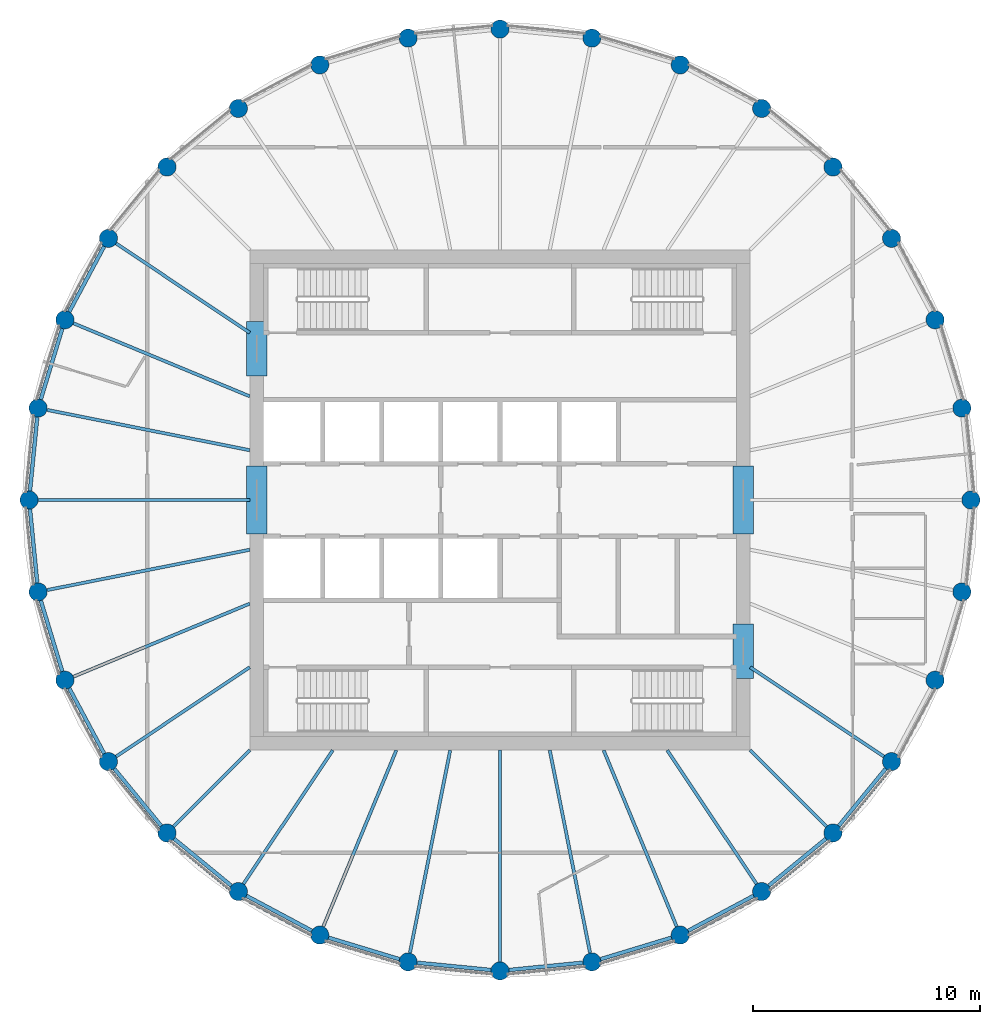
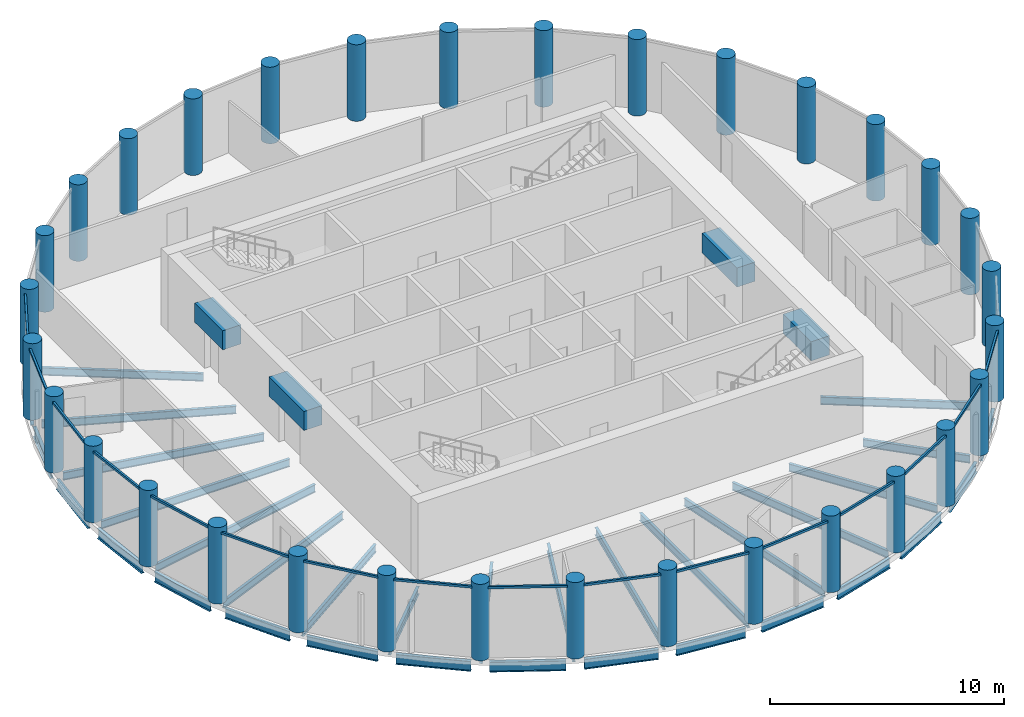
# One storey, part 1 of 7: 37 beams, 32 columns, 16 members, 16 elements without a shape of their own.
"""IFC4 building model written with IfcOpenShell, lengths in metres."""

from ifc_helpers import new_model, si_unit, direction, frame, origin, origin_2d, place, context, subcontext, project, spatial, rectangle, circle, i_section, extrude, material, material_profile, profile_set, type_object, element, aggregate, save


model = new_model("IFC4")

# Units and contexts
model_context = context("Model", 3, precision=1e-05, world=origin(), true_north=direction((0.0, 1.0)))
body_context = subcontext(model_context, "Body", "Model", "MODEL_VIEW")
ifc_project = project(units=[si_unit("LENGTHUNIT", "METRE"), si_unit("AREAUNIT", "SQUARE_METRE"), si_unit("VOLUMEUNIT", "CUBIC_METRE"), si_unit("PLANEANGLEUNIT", "RADIAN"), si_unit("MASSUNIT", "GRAM", prefix="KILO")], contexts=[model_context])

# Site, building, storey
site_placement = place(None, origin())
site = spatial("IfcSite", under=ifc_project, at=site_placement, CompositionType="ELEMENT")
building_placement = place(site_placement, origin())
building = spatial("IfcBuilding", under=site, at=building_placement, Name="Corvane Civic Tower", CompositionType="ELEMENT")
storey_placement = place(building_placement, frame((0.0, 0.0, 360.5)))
storey = spatial("IfcBuildingStorey", under=building, at=storey_placement, Name="L86", CompositionType="ELEMENT", Elevation=360.5)

# Columns
ifc_material_1 = material(Name="Concrete C60/75", Category="concrete")
ifc_material_profile_1 = material_profile(ifc_material_1, circle(Radius=0.39990234375, at=origin_2d()), Name="COLUMN 800")
ifc_profile_set_1 = profile_set([ifc_material_profile_1], Name="Concrete C60/75")
column_type = type_object("IfcColumnType", Name="RC COLUMN COLUMN 800", PredefinedType="COLUMN", material=ifc_profile_set_1)
for number, where, z_axis, x_axis, name in (
    (1, (0.0, 20.699951171875, 0.0), (0.0, 0.0, 1.0), (1.0, 0.0, 0.0), "COL-L86-F01"),
    (2, (4.038330078125, 20.30224609375, 0.0), (0.0, 0.0, 1.0), (1.0, 0.0, 0.0), "COL-L86-F02"),
    (3, (7.921630859375, 19.124267578125, 0.0), (0.0, 0.0, 1.0), (1.0, 0.0, 0.0), "COL-L86-F03"),
    (4, (11.500244140625, 17.21142578125, 0.0), (0.0, 0.0, 1.0), (1.0, 0.0, 0.0), "COL-L86-F04"),
    (5, (14.63720703125, 14.63720703125, 0.0), (0.0, 0.0, 1.0), (1.0, 0.0, 0.0), "COL-L86-F05"),
    (6, (17.21142578125, 11.500244140625, 0.0), (0.0, 0.0, 1.0), (1.0, 0.0, 0.0), "COL-L86-F06"),
    (7, (19.124267578125, 7.921630859375, 0.0), (0.0, 0.0, 1.0), (1.0, 0.0, 0.0), "COL-L86-F07"),
    (8, (20.30224609375, 4.038330078125, 0.0), (0.0, 0.0, 1.0), (1.0, 0.0, 0.0), "COL-L86-F08"),
    (9, (20.699951171875, 0.0, 0.0), (0.0, 0.0, 1.0), (1.0, 0.0, 0.0), "COL-L86-F09"),
    (10, (20.30224609375, -4.038330078125, 0.0), (0.0, 0.0, 1.0), (1.0, 0.0, 0.0), "COL-L86-F10"),
    (11, (19.124267578125, -7.921630859375, 0.0), (0.0, 0.0, 1.0), (1.0, 0.0, 0.0), "COL-L86-F11"),
    (12, (17.21142578125, -11.500244140625, 0.0), (0.0, 0.0, 1.0), (1.0, 0.0, 0.0), "COL-L86-F12"),
    (13, (14.63720703125, -14.63720703125, 0.0), (0.0, 0.0, 1.0), (1.0, 0.0, 0.0), "COL-L86-F13"),
    (14, (11.500244140625, -17.21142578125, 0.0), (0.0, 0.0, 1.0), (1.0, 0.0, 0.0), "COL-L86-F14"),
    (15, (7.921630859375, -19.124267578125, 0.0), (0.0, 0.0, 1.0), (1.0, 0.0, 0.0), "COL-L86-F15"),
    (16, (4.038330078125, -20.30224609375, 0.0), (0.0, 0.0, 1.0), (1.0, 0.0, 0.0), "COL-L86-F16"),
    (17, (0.0, -20.699951171875, 0.0), (0.0, 0.0, 1.0), (1.0, 0.0, 0.0), "COL-L86-F17"),
    (18, (-4.038330078125, -20.30224609375, 0.0), (0.0, 0.0, 1.0), (1.0, 0.0, 0.0), "COL-L86-F18"),
    (19, (-7.921630859375, -19.124267578125, 0.0), (0.0, 0.0, 1.0), (1.0, 0.0, 0.0), "COL-L86-F19"),
    (20, (-11.500244140625, -17.21142578125, 0.0), (0.0, 0.0, 1.0), (1.0, 0.0, 0.0), "COL-L86-F20"),
    (21, (-14.63720703125, -14.63720703125, 0.0), (0.0, 0.0, 1.0), (1.0, 0.0, 0.0), "COL-L86-F21"),
    (22, (-17.21142578125, -11.500244140625, 0.0), (0.0, 0.0, 1.0), (1.0, 0.0, 0.0), "COL-L86-F22"),
    (23, (-19.124267578125, -7.921630859375, 0.0), (0.0, 0.0, 1.0), (1.0, 0.0, 0.0), "COL-L86-F23"),
    (24, (-20.30224609375, -4.038330078125, 0.0), (0.0, 0.0, 1.0), (1.0, 0.0, 0.0), "COL-L86-F24"),
    (25, (-20.699951171875, 0.0, 0.0), (0.0, 0.0, 1.0), (1.0, 0.0, 0.0), "COL-L86-F25"),
    (26, (-20.30224609375, 4.038330078125, 0.0), (0.0, 0.0, 1.0), (1.0, 0.0, 0.0), "COL-L86-F26"),
    (27, (-19.124267578125, 7.921630859375, 0.0), (0.0, 0.0, 1.0), (1.0, 0.0, 0.0), "COL-L86-F27"),
    (28, (-17.21142578125, 11.500244140625, 0.0), (0.0, 0.0, 1.0), (1.0, 0.0, 0.0), "COL-L86-F28"),
    (29, (-14.63720703125, 14.63720703125, 0.0), (0.0, 0.0, 1.0), (1.0, 0.0, 0.0), "COL-L86-F29"),
    (30, (-11.500244140625, 17.21142578125, 0.0), (0.0, 0.0, 1.0), (1.0, 0.0, 0.0), "COL-L86-F30"),
    (31, (-7.921630859375, 19.124267578125, 0.0), (0.0, 0.0, 1.0), (1.0, 0.0, 0.0), "COL-L86-F31"),
    (32, (-4.038330078125, 20.30224609375, 0.0), (0.0, 0.0, 1.0), (1.0, 0.0, 0.0), "COL-L86-F32"),
):
    element("IfcColumn", number, at=place(storey_placement, frame(where, z_axis=z_axis, x_axis=x_axis)), inside=storey, type_object=column_type, Name=name, PredefinedType="COLUMN", context=body_context, shape_type="SweptSolid", body=[
        extrude(circle(Radius=0.39990234375, at=origin_2d()), origin(), (0.0, 0.0, 1.0), 4.0),
    ])

# Beams
ifc_material_2 = material(Name="Concrete C40/50", Category="concrete")
ifc_material_profile_2 = material_profile(ifc_material_2, rectangle(XDim=0.89990234375, YDim=1.0, at=origin_2d()), Name="COUPLING BEAM 900X1000")
ifc_profile_set_2 = profile_set([ifc_material_profile_2], Name="Concrete C40/50")
beam_type_1 = type_object("IfcBeamType", Name="COUPLING BEAM COUPLING BEAM 900X1000", PredefinedType="BEAM", material=ifc_profile_set_2)
for number, where, z_axis, x_axis, name in (
    (33, (-10.699951171875, -1.5, 2.60009765625), (0.0, 1.0, 0.0), (-1.0, 0.0, 0.0), "BM-L86-cpl-CW-LW"),
    (34, (10.699951171875, -1.5, 2.60009765625), (0.0, 1.0, 0.0), (-1.0, 0.0, 0.0), "BM-L86-cpl-CW-LE"),
):
    element("IfcBeam", number, at=place(storey_placement, frame(where, z_axis=z_axis, x_axis=x_axis)), inside=storey, type_object=beam_type_1, Name=name, PredefinedType="BEAM", context=body_context, shape_type="SweptSolid", body=[
        extrude(rectangle(XDim=0.89990234375, YDim=1.0, at=origin_2d()), origin(), (0.0, 0.0, 1.0), 3.0),
    ])
for number, where, z_axis, x_axis, name in (
    (35, (-10.699951171875, 5.449951171875, 2.60009765625), (0.0, 1.0, 0.0), (-1.0, 0.0, 0.0), "BM-L86-cpl-CW-WN"),
    (36, (10.699951171875, -7.85009765625, 2.60009765625), (0.0, 1.0, 0.0), (-1.0, 0.0, 0.0), "BM-L86-cpl-CW-ES"),
):
    element("IfcBeam", number, at=place(storey_placement, frame(where, z_axis=z_axis, x_axis=x_axis)), inside=storey, type_object=beam_type_1, Name=name, PredefinedType="BEAM", context=body_context, shape_type="SweptSolid", body=[
        extrude(rectangle(XDim=0.89990234375, YDim=1.0, at=origin_2d()), origin(), (0.0, 0.0, 1.0), 2.400146484375),
    ])
ifc_material_3 = material(Name="Steel ASTM A992 Gr 50", Category="steel")
ifc_material_profile_3 = material_profile(ifc_material_3, i_section(OverallWidth=0.165771484375, OverallDepth=0.5283203125, WebThickness=0.009765625, FlangeThickness=0.013671875, at=origin_2d()), Name="W21X50")
ifc_profile_set_3 = profile_set([ifc_material_profile_3], Name="Steel ASTM A992 Gr 50")
beam_type_2 = type_object("IfcBeamType", Name="EDGE BEAM W21X50", PredefinedType="BEAM", material=ifc_profile_set_3)
for number, where, z_axis, x_axis, name in (
    (37, (16.957763671875, -11.8095703125, -0.564208984375), (-0.634424551454, -0.772984791903, 0.0), (0.772984791903, -0.634424551454, 0.0), "BM-L86-E12"),
    (38, (14.327880859375, -14.890869140625, -0.564208984375), (-0.772984791903, -0.634424551454, 0.0), (0.634424551454, -0.772984791903, 0.0), "BM-L86-E13"),
    (39, (11.1474609375, -17.39990234375, -0.564208984375), (-0.881894065907, -0.471447618, 0.0), (0.471447618, -0.881894065907, 0.0), "BM-L86-E14"),
    (40, (7.538818359375, -19.240478515625, -0.564208984375), (-0.956955679349, -0.290234091317, 0.0), (0.290234091317, -0.956955679349, 0.0), "BM-L86-E15"),
):
    element("IfcBeam", number, at=place(storey_placement, frame(where, z_axis=z_axis, x_axis=x_axis)), inside=storey, type_object=beam_type_2, Name=name, PredefinedType="BEAM", context=body_context, shape_type="SweptSolid", body=[
        extrude(i_section(OverallWidth=0.165771484375, OverallDepth=0.5283203125, WebThickness=0.009765625, FlangeThickness=0.013671875, at=origin_2d()), origin(), (0.0, 0.0, 1.0), 3.2578125),
    ])
for number, where, z_axis, x_axis, name in (
    (41, (3.640380859375, -20.341552734375, -0.564208984375), (-0.995192503142, -0.097938152369, 0.0), (0.097938152369, -0.995192503142, 0.0), "BM-L86-E16"),
    (42, (-0.39794921875, -20.66064453125, -0.564208984375), (-0.995192503142, 0.097938152369, 0.0), (-0.097938152369, -0.995192503142, 0.0), "BM-L86-E17"),
):
    element("IfcBeam", number, at=place(storey_placement, frame(where, z_axis=z_axis, x_axis=x_axis)), inside=storey, type_object=beam_type_2, Name=name, PredefinedType="BEAM", context=body_context, shape_type="SweptSolid", body=[
        extrude(i_section(OverallWidth=0.165771484375, OverallDepth=0.5283203125, WebThickness=0.009765625, FlangeThickness=0.013671875, at=origin_2d()), origin(), (0.0, 0.0, 1.0), 3.258056640625),
    ])
for number, where, z_axis, x_axis, name in (
    (43, (-4.421142578125, -20.18603515625, -0.564208984375), (-0.956955679349, 0.290234091317, 0.0), (-0.290234091317, -0.956955679349, 0.0), "BM-L86-E18"),
    (44, (-8.2744140625, -18.935791015625, -0.564208984375), (-0.881894065907, 0.471447618, 0.0), (-0.471447618, -0.881894065907, 0.0), "BM-L86-E19"),
    (45, (-11.8095703125, -16.957763671875, -0.564208984375), (-0.772984791903, 0.634424551454, 0.0), (-0.634424551454, -0.772984791903, 0.0), "BM-L86-E20"),
    (46, (-14.890869140625, -14.327880859375, -0.564208984375), (-0.634424551454, 0.772984791903, 0.0), (-0.772984791903, -0.634424551454, 0.0), "BM-L86-E21"),
    (47, (-17.39990234375, -11.1474609375, -0.564208984375), (-0.471447618, 0.881894065907, 0.0), (-0.881894065907, -0.471447618, 0.0), "BM-L86-E22"),
    (48, (-19.240478515625, -7.538818359375, -0.564208984375), (-0.290234091317, 0.956955679349, 0.0), (-0.956955679349, -0.290234091317, 0.0), "BM-L86-E23"),
):
    element("IfcBeam", number, at=place(storey_placement, frame(where, z_axis=z_axis, x_axis=x_axis)), inside=storey, type_object=beam_type_2, Name=name, PredefinedType="BEAM", context=body_context, shape_type="SweptSolid", body=[
        extrude(i_section(OverallWidth=0.165771484375, OverallDepth=0.5283203125, WebThickness=0.009765625, FlangeThickness=0.013671875, at=origin_2d()), origin(), (0.0, 0.0, 1.0), 3.2578125),
    ])
for number, where, z_axis, x_axis, name in (
    (49, (-20.341552734375, -3.640380859375, -0.564208984375), (-0.097938152369, 0.995192503142, 0.0), (-0.995192503142, -0.097938152369, 0.0), "BM-L86-E24"),
    (50, (-20.66064453125, 0.39794921875, -0.564208984375), (0.097938152369, 0.995192503142, 0.0), (-0.995192503142, 0.097938152369, 0.0), "BM-L86-E25"),
):
    element("IfcBeam", number, at=place(storey_placement, frame(where, z_axis=z_axis, x_axis=x_axis)), inside=storey, type_object=beam_type_2, Name=name, PredefinedType="BEAM", context=body_context, shape_type="SweptSolid", body=[
        extrude(i_section(OverallWidth=0.165771484375, OverallDepth=0.5283203125, WebThickness=0.009765625, FlangeThickness=0.013671875, at=origin_2d()), origin(), (0.0, 0.0, 1.0), 3.258056640625),
    ])
for number, where, z_axis, x_axis, name in (
    (51, (-20.18603515625, 4.421142578125, -0.564208984375), (0.290234091317, 0.956955679349, 0.0), (-0.956955679349, 0.290234091317, 0.0), "BM-L86-E26"),
    (52, (-18.935791015625, 8.2744140625, -0.564208984375), (0.471447618, 0.881894065907, 0.0), (-0.881894065907, 0.471447618, 0.0), "BM-L86-E27"),
):
    element("IfcBeam", number, at=place(storey_placement, frame(where, z_axis=z_axis, x_axis=x_axis)), inside=storey, type_object=beam_type_2, Name=name, PredefinedType="BEAM", context=body_context, shape_type="SweptSolid", body=[
        extrude(i_section(OverallWidth=0.165771484375, OverallDepth=0.5283203125, WebThickness=0.009765625, FlangeThickness=0.013671875, at=origin_2d()), origin(), (0.0, 0.0, 1.0), 3.2578125),
    ])
ifc_material_4 = material(Name="Steel ASTM A992 Gr 50", Category="steel")
ifc_material_profile_4 = material_profile(ifc_material_4, i_section(OverallWidth=0.140380859375, OverallDepth=0.40380859375, WebThickness=0.007080078125, FlangeThickness=0.01123046875, at=origin_2d()), Name="W16X31")
ifc_profile_set_4 = profile_set([ifc_material_profile_4], Name="Steel ASTM A992 Gr 50")
beam_type_3 = type_object("IfcBeamType", Name="FLOOR GIRDER W16X31", PredefinedType="BEAM", material=ifc_profile_set_4)
beam_1_placement = place(storey_placement, frame((11.0, -7.349853515625, -0.501953125), z_axis=(0.831465490699, -0.555576401385, 0.0), x_axis=(0.555576401385, 0.831465490699, 0.0)))
element("IfcBeam", 53, at=beam_1_placement, inside=storey, type_object=beam_type_3, Name="BM-L86-G12", PredefinedType="BEAM", context=body_context, shape_type="SweptSolid", body=[
    extrude(i_section(OverallWidth=0.140380859375, OverallDepth=0.40380859375, WebThickness=0.007080078125, FlangeThickness=0.01123046875, at=origin_2d()), origin(), (0.0, 0.0, 1.0), 7.070556640625),
])
beam_2_placement = place(storey_placement, frame((11.0, -11.0, -0.501953125), z_axis=(0.707106781187, -0.707106781187, 0.0), x_axis=(0.707106781187, 0.707106781187, 0.0)))
element("IfcBeam", 54, at=beam_2_placement, inside=storey, type_object=beam_type_3, Name="BM-L86-G13", PredefinedType="BEAM", context=body_context, shape_type="SweptSolid", body=[
    extrude(i_section(OverallWidth=0.140380859375, OverallDepth=0.40380859375, WebThickness=0.007080078125, FlangeThickness=0.01123046875, at=origin_2d()), origin(), (0.0, 0.0, 1.0), 4.74365234375),
])
beam_3_placement = place(storey_placement, frame((7.349853515625, -11.0, -0.501953125), z_axis=(0.555576401385, -0.831465490699, 0.0), x_axis=(0.831465490699, 0.555576401385, 0.0)))
element("IfcBeam", 55, at=beam_3_placement, inside=storey, type_object=beam_type_3, Name="BM-L86-G14", PredefinedType="BEAM", context=body_context, shape_type="SweptSolid", body=[
    extrude(i_section(OverallWidth=0.140380859375, OverallDepth=0.40380859375, WebThickness=0.007080078125, FlangeThickness=0.01123046875, at=origin_2d()), origin(), (0.0, 0.0, 1.0), 7.070556640625),
])
beam_4_placement = place(storey_placement, frame((4.556396484375, -11.0, -0.501953125), z_axis=(0.382691739894, -0.923876091377, 0.0), x_axis=(0.923876091377, 0.382691739894, 0.0)))
element("IfcBeam", 56, at=beam_4_placement, inside=storey, type_object=beam_type_3, Name="BM-L86-G15", PredefinedType="BEAM", context=body_context, shape_type="SweptSolid", body=[
    extrude(i_section(OverallWidth=0.140380859375, OverallDepth=0.40380859375, WebThickness=0.007080078125, FlangeThickness=0.01123046875, at=origin_2d()), origin(), (0.0, 0.0, 1.0), 8.3935546875),
])
beam_5_placement = place(storey_placement, frame((2.18798828125, -11.0, -0.501953125), z_axis=(0.195108241061, -0.980781715913, 0.0), x_axis=(0.980781715913, 0.195108241061, 0.0)))
element("IfcBeam", 57, at=beam_5_placement, inside=storey, type_object=beam_type_3, Name="BM-L86-G16", PredefinedType="BEAM", context=body_context, shape_type="SweptSolid", body=[
    extrude(i_section(OverallWidth=0.140380859375, OverallDepth=0.40380859375, WebThickness=0.007080078125, FlangeThickness=0.01123046875, at=origin_2d()), origin(), (0.0, 0.0, 1.0), 9.08447265625),
])
beam_6_placement = place(storey_placement, frame((0.0, -11.0, -0.501953125), z_axis=(0.0, -1.0, 0.0), x_axis=(1.0, 0.0, 0.0)))
element("IfcBeam", 58, at=beam_6_placement, inside=storey, type_object=beam_type_3, Name="BM-L86-G17", PredefinedType="BEAM", context=body_context, shape_type="SweptSolid", body=[
    extrude(i_section(OverallWidth=0.140380859375, OverallDepth=0.40380859375, WebThickness=0.007080078125, FlangeThickness=0.01123046875, at=origin_2d()), origin(), (0.0, 0.0, 1.0), 9.300048828125),
])
beam_7_placement = place(storey_placement, frame((-2.18798828125, -11.0, -0.501953125), z_axis=(-0.195108241061, -0.980781715913, 0.0), x_axis=(0.980781715913, -0.195108241061, 0.0)))
element("IfcBeam", 59, at=beam_7_placement, inside=storey, type_object=beam_type_3, Name="BM-L86-G18", PredefinedType="BEAM", context=body_context, shape_type="SweptSolid", body=[
    extrude(i_section(OverallWidth=0.140380859375, OverallDepth=0.40380859375, WebThickness=0.007080078125, FlangeThickness=0.01123046875, at=origin_2d()), origin(), (0.0, 0.0, 1.0), 9.08447265625),
])
beam_8_placement = place(storey_placement, frame((-4.556396484375, -11.0, -0.501953125), z_axis=(-0.382691739894, -0.923876091377, 0.0), x_axis=(0.923876091377, -0.382691739894, 0.0)))
element("IfcBeam", 60, at=beam_8_placement, inside=storey, type_object=beam_type_3, Name="BM-L86-G19", PredefinedType="BEAM", context=body_context, shape_type="SweptSolid", body=[
    extrude(i_section(OverallWidth=0.140380859375, OverallDepth=0.40380859375, WebThickness=0.007080078125, FlangeThickness=0.01123046875, at=origin_2d()), origin(), (0.0, 0.0, 1.0), 8.3935546875),
])
beam_9_placement = place(storey_placement, frame((-7.349853515625, -11.0, -0.501953125), z_axis=(-0.555576401385, -0.831465490699, 0.0), x_axis=(0.831465490699, -0.555576401385, 0.0)))
element("IfcBeam", 61, at=beam_9_placement, inside=storey, type_object=beam_type_3, Name="BM-L86-G20", PredefinedType="BEAM", context=body_context, shape_type="SweptSolid", body=[
    extrude(i_section(OverallWidth=0.140380859375, OverallDepth=0.40380859375, WebThickness=0.007080078125, FlangeThickness=0.01123046875, at=origin_2d()), origin(), (0.0, 0.0, 1.0), 7.070556640625),
])
beam_10_placement = place(storey_placement, frame((-11.0, -11.0, -0.501953125), z_axis=(-0.707106781187, -0.707106781187, 0.0), x_axis=(0.707106781187, -0.707106781187, 0.0)))
element("IfcBeam", 62, at=beam_10_placement, inside=storey, type_object=beam_type_3, Name="BM-L86-G21", PredefinedType="BEAM", context=body_context, shape_type="SweptSolid", body=[
    extrude(i_section(OverallWidth=0.140380859375, OverallDepth=0.40380859375, WebThickness=0.007080078125, FlangeThickness=0.01123046875, at=origin_2d()), origin(), (0.0, 0.0, 1.0), 4.74365234375),
])
beam_11_placement = place(storey_placement, frame((-11.0, -7.349853515625, -0.501953125), z_axis=(-0.831465490699, -0.555576401385, 0.0), x_axis=(0.555576401385, -0.831465490699, 0.0)))
element("IfcBeam", 63, at=beam_11_placement, inside=storey, type_object=beam_type_3, Name="BM-L86-G22", PredefinedType="BEAM", context=body_context, shape_type="SweptSolid", body=[
    extrude(i_section(OverallWidth=0.140380859375, OverallDepth=0.40380859375, WebThickness=0.007080078125, FlangeThickness=0.01123046875, at=origin_2d()), origin(), (0.0, 0.0, 1.0), 7.070556640625),
])
beam_12_placement = place(storey_placement, frame((-11.0, -4.556396484375, -0.501953125), z_axis=(-0.923876091377, -0.382691739894, 0.0), x_axis=(0.382691739894, -0.923876091377, 0.0)))
element("IfcBeam", 64, at=beam_12_placement, inside=storey, type_object=beam_type_3, Name="BM-L86-G23", PredefinedType="BEAM", context=body_context, shape_type="SweptSolid", body=[
    extrude(i_section(OverallWidth=0.140380859375, OverallDepth=0.40380859375, WebThickness=0.007080078125, FlangeThickness=0.01123046875, at=origin_2d()), origin(), (0.0, 0.0, 1.0), 8.3935546875),
])
beam_13_placement = place(storey_placement, frame((-11.0, -2.18798828125, -0.501953125), z_axis=(-0.980781715913, -0.195108241061, 0.0), x_axis=(0.195108241061, -0.980781715913, 0.0)))
element("IfcBeam", 65, at=beam_13_placement, inside=storey, type_object=beam_type_3, Name="BM-L86-G24", PredefinedType="BEAM", context=body_context, shape_type="SweptSolid", body=[
    extrude(i_section(OverallWidth=0.140380859375, OverallDepth=0.40380859375, WebThickness=0.007080078125, FlangeThickness=0.01123046875, at=origin_2d()), origin(), (0.0, 0.0, 1.0), 9.08447265625),
])
beam_14_placement = place(storey_placement, frame((-11.0, 0.0, -0.501953125), z_axis=(-1.0, 0.0, 0.0), x_axis=(0.0, -1.0, 0.0)))
element("IfcBeam", 66, at=beam_14_placement, inside=storey, type_object=beam_type_3, Name="BM-L86-G25", PredefinedType="BEAM", context=body_context, shape_type="SweptSolid", body=[
    extrude(i_section(OverallWidth=0.140380859375, OverallDepth=0.40380859375, WebThickness=0.007080078125, FlangeThickness=0.01123046875, at=origin_2d()), origin(), (0.0, 0.0, 1.0), 9.300048828125),
])
beam_15_placement = place(storey_placement, frame((-11.0, 2.18798828125, -0.501953125), z_axis=(-0.980781715913, 0.195108241061, 0.0), x_axis=(-0.195108241061, -0.980781715913, 0.0)))
element("IfcBeam", 67, at=beam_15_placement, inside=storey, type_object=beam_type_3, Name="BM-L86-G26", PredefinedType="BEAM", context=body_context, shape_type="SweptSolid", body=[
    extrude(i_section(OverallWidth=0.140380859375, OverallDepth=0.40380859375, WebThickness=0.007080078125, FlangeThickness=0.01123046875, at=origin_2d()), origin(), (0.0, 0.0, 1.0), 9.08447265625),
])
beam_16_placement = place(storey_placement, frame((-11.0, 4.556396484375, -0.501953125), z_axis=(-0.923876091377, 0.382691739894, 0.0), x_axis=(-0.382691739894, -0.923876091377, 0.0)))
element("IfcBeam", 68, at=beam_16_placement, inside=storey, type_object=beam_type_3, Name="BM-L86-G27", PredefinedType="BEAM", context=body_context, shape_type="SweptSolid", body=[
    extrude(i_section(OverallWidth=0.140380859375, OverallDepth=0.40380859375, WebThickness=0.007080078125, FlangeThickness=0.01123046875, at=origin_2d()), origin(), (0.0, 0.0, 1.0), 8.3935546875),
])
beam_17_placement = place(storey_placement, frame((-11.0, 7.349853515625, -0.501953125), z_axis=(-0.831465490699, 0.555576401385, 0.0), x_axis=(-0.555576401385, -0.831465490699, 0.0)))
element("IfcBeam", 69, at=beam_17_placement, inside=storey, type_object=beam_type_3, Name="BM-L86-G28", PredefinedType="BEAM", context=body_context, shape_type="SweptSolid", body=[
    extrude(i_section(OverallWidth=0.140380859375, OverallDepth=0.40380859375, WebThickness=0.007080078125, FlangeThickness=0.01123046875, at=origin_2d()), origin(), (0.0, 0.0, 1.0), 7.070556640625),
])

# Curtain wall, member
ifc_material_5 = material(Name="Anodised aluminium bronze", Category="aluminium")
curtain_wall_type = type_object("IfcCurtainWallType", Name="TOWER CW-T3 STICK CURTAIN WALL", PredefinedType="NOTDEFINED", material=ifc_material_5)
curtain_wall_1_placement = place(storey_placement, origin())
curtain_wall_1 = element("IfcCurtainWall", 70, at=curtain_wall_1_placement, inside=storey, type_object=curtain_wall_type, Name="Curtain wall CW-T3 L86 bay 12", PredefinedType="NOTDEFINED")
ifc_material_6 = material(Name="Anodised aluminium bronze", Category="aluminium")
ifc_material_profile_5 = material_profile(ifc_material_6, rectangle(XDim=0.10009765625, YDim=0.1201171875, at=origin_2d()), Name="TOWER CW-T3 TRANSOM 100x120")
ifc_profile_set_5 = profile_set([ifc_material_profile_5], Name="Anodised aluminium bronze")
member_type = type_object("IfcMemberType", Name="TOWER CW-T3 TRANSOM 100x120", PredefinedType="USERDEFINED", material=ifc_profile_set_5)
member_1_placement = place(storey_placement, frame((17.14208984375, -11.8671875, 3.68994140625), z_axis=(-0.634393571736, -0.773010217358, 0.0), x_axis=(0.773010217358, -0.634393571736, 0.0)))
member_1 = element("IfcMember", 71, at=member_1_placement, type_object=member_type, Name="Transom CW-T3 L86 12.1", ObjectType="TRANSOM", PredefinedType="USERDEFINED", context=body_context, shape_type="SweptSolid", body=[
    extrude(rectangle(XDim=0.10009765625, YDim=0.1201171875, at=origin_2d()), origin(), (0.0, 0.0, 1.0), 3.40283203125),
])
aggregate(curtain_wall_1, [member_1])

curtain_wall_2_placement = place(storey_placement, origin())
curtain_wall_2 = element("IfcCurtainWall", 72, at=curtain_wall_2_placement, inside=storey, type_object=curtain_wall_type, Name="Curtain wall CW-T3 L86 bay 13", PredefinedType="NOTDEFINED")
member_2_placement = place(storey_placement, frame((14.49755859375, -14.9833984375, 3.68994140625), z_axis=(-0.773010217358, -0.634393571736, 0.0), x_axis=(0.634393571736, -0.773010217358, 0.0)))
member_2 = element("IfcMember", 73, at=member_2_placement, type_object=member_type, Name="Transom CW-T3 L86 13.1", ObjectType="TRANSOM", PredefinedType="USERDEFINED", context=body_context, shape_type="SweptSolid", body=[
    extrude(rectangle(XDim=0.10009765625, YDim=0.1201171875, at=origin_2d()), origin(), (0.0, 0.0, 1.0), 3.40283203125),
])
aggregate(curtain_wall_2, [member_2])

curtain_wall_3_placement = place(storey_placement, origin())
curtain_wall_3 = element("IfcCurtainWall", 74, at=curtain_wall_3_placement, inside=storey, type_object=curtain_wall_type, Name="Curtain wall CW-T3 L86 bay 14", PredefinedType="NOTDEFINED")
member_3_placement = place(storey_placement, frame((11.295654296875, -17.52392578125, 3.68994140625), z_axis=(-0.881941440444, -0.471358988063, 0.0), x_axis=(0.471358988063, -0.881941440444, 0.0)))
member_3 = element("IfcMember", 75, at=member_3_placement, type_object=member_type, Name="Transom CW-T3 L86 14.1", ObjectType="TRANSOM", PredefinedType="USERDEFINED", context=body_context, shape_type="SweptSolid", body=[
    extrude(rectangle(XDim=0.10009765625, YDim=0.1201171875, at=origin_2d()), origin(), (0.0, 0.0, 1.0), 3.40234375),
])
aggregate(curtain_wall_3, [member_3])

curtain_wall_4_placement = place(storey_placement, origin())
curtain_wall_4 = element("IfcCurtainWall", 76, at=curtain_wall_4_placement, inside=storey, type_object=curtain_wall_type, Name="Curtain wall CW-T3 L86 bay 15", PredefinedType="NOTDEFINED")
member_4_placement = place(storey_placement, frame((7.66015625, -19.390869140625, 3.68994140625), z_axis=(-0.956961022204, -0.290216474345, 0.0), x_axis=(0.290216474345, -0.956961022204, 0.0)))
member_4 = element("IfcMember", 77, at=member_4_placement, type_object=member_type, Name="Transom CW-T3 L86 15.1", ObjectType="TRANSOM", PredefinedType="USERDEFINED", context=body_context, shape_type="SweptSolid", body=[
    extrude(rectangle(XDim=0.10009765625, YDim=0.1201171875, at=origin_2d()), origin(), (0.0, 0.0, 1.0), 3.40283203125),
])
aggregate(curtain_wall_4, [member_4])

curtain_wall_5_placement = place(storey_placement, origin())
curtain_wall_5 = element("IfcCurtainWall", 78, at=curtain_wall_5_placement, inside=storey, type_object=curtain_wall_type, Name="Curtain wall CW-T3 L86 bay 16", PredefinedType="NOTDEFINED")
member_5_placement = place(storey_placement, frame((3.729736328125, -20.5126953125, 3.68994140625), z_axis=(-0.995191564676, -0.097947688066, 0.0), x_axis=(0.097947688066, -0.995191564676, 0.0)))
member_5 = element("IfcMember", 79, at=member_5_placement, type_object=member_type, Name="Transom CW-T3 L86 16.1", ObjectType="TRANSOM", PredefinedType="USERDEFINED", context=body_context, shape_type="SweptSolid", body=[
    extrude(rectangle(XDim=0.10009765625, YDim=0.1201171875, at=origin_2d()), origin(), (0.0, 0.0, 1.0), 3.40234375),
])
aggregate(curtain_wall_5, [member_5])

curtain_wall_6_placement = place(storey_placement, origin())
curtain_wall_6 = element("IfcCurtainWall", 80, at=curtain_wall_6_placement, inside=storey, type_object=curtain_wall_type, Name="Curtain wall CW-T3 L86 bay 17", PredefinedType="NOTDEFINED")
member_6_placement = place(storey_placement, frame((-0.34375, -20.845947265625, 3.68994140625), z_axis=(-0.995191564676, 0.097947688066, 0.0), x_axis=(-0.097947688066, -0.995191564676, 0.0)))
member_6 = element("IfcMember", 81, at=member_6_placement, type_object=member_type, Name="Transom CW-T3 L86 17.1", ObjectType="TRANSOM", PredefinedType="USERDEFINED", context=body_context, shape_type="SweptSolid", body=[
    extrude(rectangle(XDim=0.10009765625, YDim=0.1201171875, at=origin_2d()), origin(), (0.0, 0.0, 1.0), 3.40234375),
])
aggregate(curtain_wall_6, [member_6])

curtain_wall_7_placement = place(storey_placement, origin())
curtain_wall_7 = element("IfcCurtainWall", 82, at=curtain_wall_7_placement, inside=storey, type_object=curtain_wall_type, Name="Curtain wall CW-T3 L86 bay 18", PredefinedType="NOTDEFINED")
member_7_placement = place(storey_placement, frame((-4.40380859375, -20.37841796875, 3.68994140625), z_axis=(-0.956961022204, 0.290216474345, 0.0), x_axis=(-0.290216474345, -0.956961022204, 0.0)))
member_7 = element("IfcMember", 83, at=member_7_placement, type_object=member_type, Name="Transom CW-T3 L86 18.1", ObjectType="TRANSOM", PredefinedType="USERDEFINED", context=body_context, shape_type="SweptSolid", body=[
    extrude(rectangle(XDim=0.10009765625, YDim=0.1201171875, at=origin_2d()), origin(), (0.0, 0.0, 1.0), 3.40283203125),
])
aggregate(curtain_wall_7, [member_7])

curtain_wall_8_placement = place(storey_placement, origin())
curtain_wall_8 = element("IfcCurtainWall", 84, at=curtain_wall_8_placement, inside=storey, type_object=curtain_wall_type, Name="Curtain wall CW-T3 L86 bay 19", PredefinedType="NOTDEFINED")
member_8_placement = place(storey_placement, frame((-8.294921875, -19.127685546875, 3.68994140625), z_axis=(-0.881941440444, 0.471358988063, 0.0), x_axis=(-0.471358988063, -0.881941440444, 0.0)))
member_8 = element("IfcMember", 85, at=member_8_placement, type_object=member_type, Name="Transom CW-T3 L86 19.1", ObjectType="TRANSOM", PredefinedType="USERDEFINED", context=body_context, shape_type="SweptSolid", body=[
    extrude(rectangle(XDim=0.10009765625, YDim=0.1201171875, at=origin_2d()), origin(), (0.0, 0.0, 1.0), 3.40234375),
])
aggregate(curtain_wall_8, [member_8])

curtain_wall_9_placement = place(storey_placement, origin())
curtain_wall_9 = element("IfcCurtainWall", 86, at=curtain_wall_9_placement, inside=storey, type_object=curtain_wall_type, Name="Curtain wall CW-T3 L86 bay 20", PredefinedType="NOTDEFINED")
member_9_placement = place(storey_placement, frame((-11.8671875, -17.14208984375, 3.68994140625), z_axis=(-0.773010217358, 0.634393571736, 0.0), x_axis=(-0.634393571736, -0.773010217358, 0.0)))
member_9 = element("IfcMember", 87, at=member_9_placement, type_object=member_type, Name="Transom CW-T3 L86 20.1", ObjectType="TRANSOM", PredefinedType="USERDEFINED", context=body_context, shape_type="SweptSolid", body=[
    extrude(rectangle(XDim=0.10009765625, YDim=0.1201171875, at=origin_2d()), origin(), (0.0, 0.0, 1.0), 3.40283203125),
])
aggregate(curtain_wall_9, [member_9])

curtain_wall_10_placement = place(storey_placement, origin())
curtain_wall_10 = element("IfcCurtainWall", 88, at=curtain_wall_10_placement, inside=storey, type_object=curtain_wall_type, Name="Curtain wall CW-T3 L86 bay 21", PredefinedType="NOTDEFINED")
member_10_placement = place(storey_placement, frame((-14.9833984375, -14.49755859375, 3.68994140625), z_axis=(-0.634393571736, 0.773010217358, 0.0), x_axis=(-0.773010217358, -0.634393571736, 0.0)))
member_10 = element("IfcMember", 89, at=member_10_placement, type_object=member_type, Name="Transom CW-T3 L86 21.1", ObjectType="TRANSOM", PredefinedType="USERDEFINED", context=body_context, shape_type="SweptSolid", body=[
    extrude(rectangle(XDim=0.10009765625, YDim=0.1201171875, at=origin_2d()), origin(), (0.0, 0.0, 1.0), 3.40283203125),
])
aggregate(curtain_wall_10, [member_10])

curtain_wall_11_placement = place(storey_placement, origin())
curtain_wall_11 = element("IfcCurtainWall", 90, at=curtain_wall_11_placement, inside=storey, type_object=curtain_wall_type, Name="Curtain wall CW-T3 L86 bay 22", PredefinedType="NOTDEFINED")
member_11_placement = place(storey_placement, frame((-17.52392578125, -11.295654296875, 3.68994140625), z_axis=(-0.471358988063, 0.881941440444, 0.0), x_axis=(-0.881941440444, -0.471358988063, 0.0)))
member_11 = element("IfcMember", 91, at=member_11_placement, type_object=member_type, Name="Transom CW-T3 L86 22.1", ObjectType="TRANSOM", PredefinedType="USERDEFINED", context=body_context, shape_type="SweptSolid", body=[
    extrude(rectangle(XDim=0.10009765625, YDim=0.1201171875, at=origin_2d()), origin(), (0.0, 0.0, 1.0), 3.40234375),
])
aggregate(curtain_wall_11, [member_11])

curtain_wall_12_placement = place(storey_placement, origin())
curtain_wall_12 = element("IfcCurtainWall", 92, at=curtain_wall_12_placement, inside=storey, type_object=curtain_wall_type, Name="Curtain wall CW-T3 L86 bay 23", PredefinedType="NOTDEFINED")
member_12_placement = place(storey_placement, frame((-19.390869140625, -7.66015625, 3.68994140625), z_axis=(-0.290216474345, 0.956961022204, 0.0), x_axis=(-0.956961022204, -0.290216474345, 0.0)))
member_12 = element("IfcMember", 93, at=member_12_placement, type_object=member_type, Name="Transom CW-T3 L86 23.1", ObjectType="TRANSOM", PredefinedType="USERDEFINED", context=body_context, shape_type="SweptSolid", body=[
    extrude(rectangle(XDim=0.10009765625, YDim=0.1201171875, at=origin_2d()), origin(), (0.0, 0.0, 1.0), 3.40283203125),
])
aggregate(curtain_wall_12, [member_12])

curtain_wall_13_placement = place(storey_placement, origin())
curtain_wall_13 = element("IfcCurtainWall", 94, at=curtain_wall_13_placement, inside=storey, type_object=curtain_wall_type, Name="Curtain wall CW-T3 L86 bay 24", PredefinedType="NOTDEFINED")
member_13_placement = place(storey_placement, frame((-20.5126953125, -3.729736328125, 3.68994140625), z_axis=(-0.097947688066, 0.995191564676, 0.0), x_axis=(-0.995191564676, -0.097947688066, 0.0)))
member_13 = element("IfcMember", 95, at=member_13_placement, type_object=member_type, Name="Transom CW-T3 L86 24.1", ObjectType="TRANSOM", PredefinedType="USERDEFINED", context=body_context, shape_type="SweptSolid", body=[
    extrude(rectangle(XDim=0.10009765625, YDim=0.1201171875, at=origin_2d()), origin(), (0.0, 0.0, 1.0), 3.40234375),
])
aggregate(curtain_wall_13, [member_13])

curtain_wall_14_placement = place(storey_placement, origin())
curtain_wall_14 = element("IfcCurtainWall", 96, at=curtain_wall_14_placement, inside=storey, type_object=curtain_wall_type, Name="Curtain wall CW-T3 L86 bay 25", PredefinedType="NOTDEFINED")
member_14_placement = place(storey_placement, frame((-20.845947265625, 0.34375, 3.68994140625), z_axis=(0.097947688066, 0.995191564676, 0.0), x_axis=(-0.995191564676, 0.097947688066, 0.0)))
member_14 = element("IfcMember", 97, at=member_14_placement, type_object=member_type, Name="Transom CW-T3 L86 25.1", ObjectType="TRANSOM", PredefinedType="USERDEFINED", context=body_context, shape_type="SweptSolid", body=[
    extrude(rectangle(XDim=0.10009765625, YDim=0.1201171875, at=origin_2d()), origin(), (0.0, 0.0, 1.0), 3.40234375),
])
aggregate(curtain_wall_14, [member_14])

curtain_wall_15_placement = place(storey_placement, origin())
curtain_wall_15 = element("IfcCurtainWall", 98, at=curtain_wall_15_placement, inside=storey, type_object=curtain_wall_type, Name="Curtain wall CW-T3 L86 bay 26", PredefinedType="NOTDEFINED")
member_15_placement = place(storey_placement, frame((-20.37841796875, 4.40380859375, 3.68994140625), z_axis=(0.290216474345, 0.956961022204, 0.0), x_axis=(-0.956961022204, 0.290216474345, 0.0)))
member_15 = element("IfcMember", 99, at=member_15_placement, type_object=member_type, Name="Transom CW-T3 L86 26.1", ObjectType="TRANSOM", PredefinedType="USERDEFINED", context=body_context, shape_type="SweptSolid", body=[
    extrude(rectangle(XDim=0.10009765625, YDim=0.1201171875, at=origin_2d()), origin(), (0.0, 0.0, 1.0), 3.40283203125),
])
aggregate(curtain_wall_15, [member_15])

curtain_wall_16_placement = place(storey_placement, origin())
curtain_wall_16 = element("IfcCurtainWall", 100, at=curtain_wall_16_placement, inside=storey, type_object=curtain_wall_type, Name="Curtain wall CW-T3 L86 bay 27", PredefinedType="NOTDEFINED")
member_16_placement = place(storey_placement, frame((-19.127685546875, 8.294921875, 3.68994140625), z_axis=(0.471358988063, 0.881941440444, 0.0), x_axis=(-0.881941440444, 0.471358988063, 0.0)))
member_16 = element("IfcMember", 101, at=member_16_placement, type_object=member_type, Name="Transom CW-T3 L86 27.1", ObjectType="TRANSOM", PredefinedType="USERDEFINED", context=body_context, shape_type="SweptSolid", body=[
    extrude(rectangle(XDim=0.10009765625, YDim=0.1201171875, at=origin_2d()), origin(), (0.0, 0.0, 1.0), 3.40234375),
])
aggregate(curtain_wall_16, [member_16])

save(model, "model.ifc")
